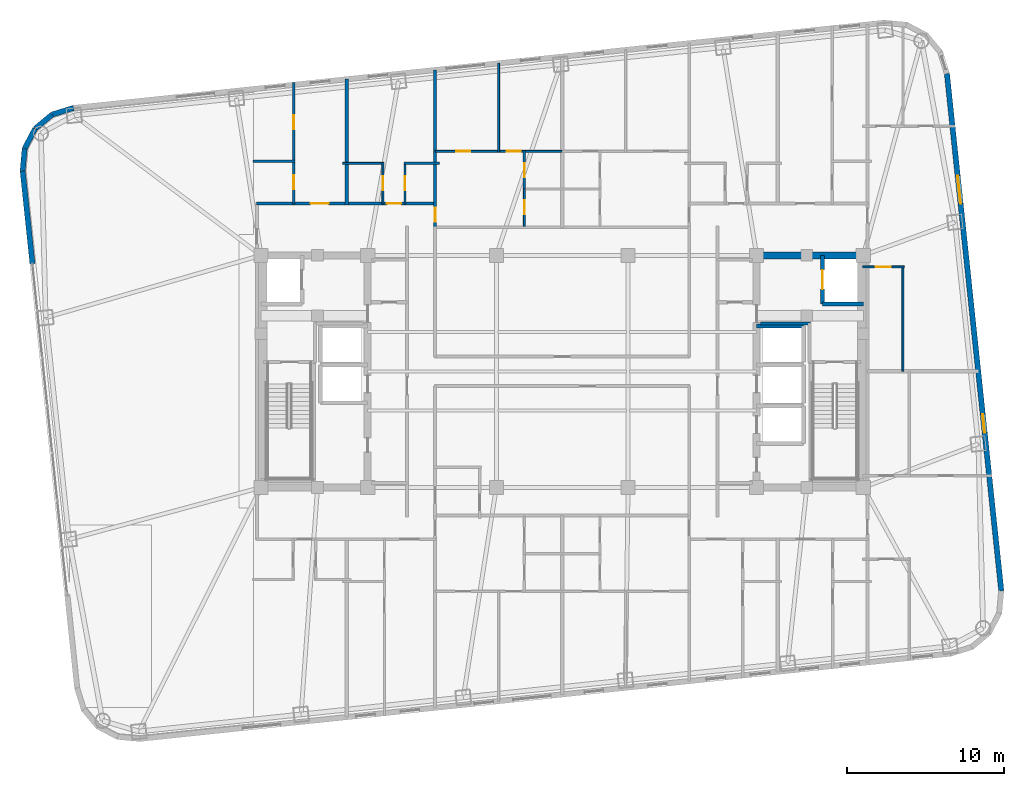
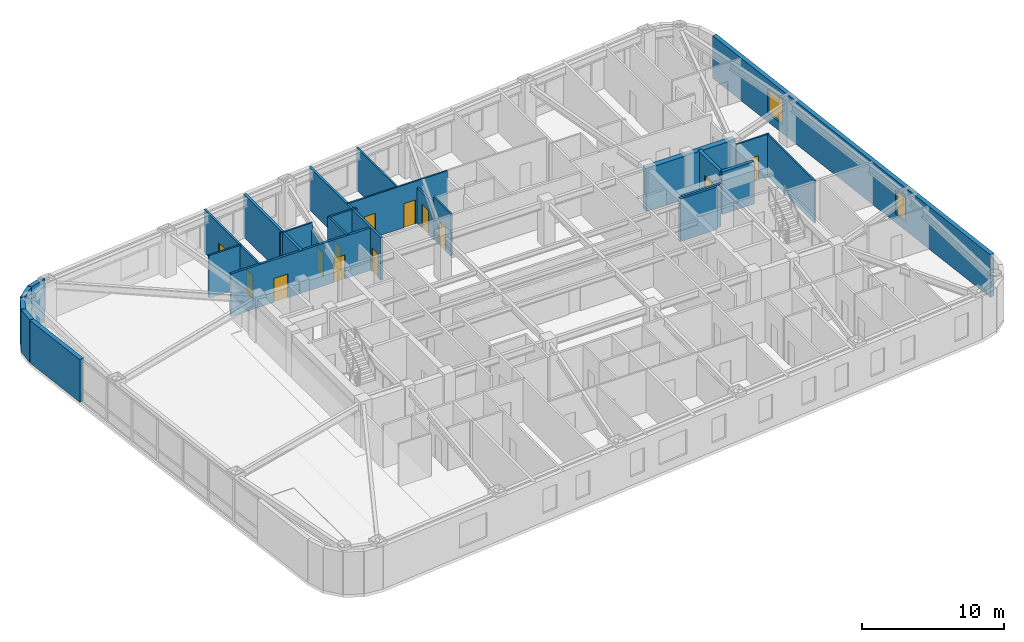
# One storey, part 10 of 15: 27 walls, 13 doors, 2 windows, 15 openings.
"""IFC4 building model written with IfcOpenShell, lengths in metres."""

from ifc_helpers import new_model, si_unit, direction, frame, frame_2d, origin, place, context, subcontext, project, spatial, rectangle, extrude, material, layer, layer_set, type_object, element, fill, save


model = new_model("IFC4")

# Units and contexts
model_context = context("Model", 3, precision=1e-05, world=origin(), true_north=direction((0.0, 1.0)))
body_context = subcontext(model_context, "Body", "Model", "MODEL_VIEW")
ifc_project = project(units=[si_unit("LENGTHUNIT", "METRE"), si_unit("AREAUNIT", "SQUARE_METRE"), si_unit("VOLUMEUNIT", "CUBIC_METRE"), si_unit("PLANEANGLEUNIT", "RADIAN"), si_unit("MASSUNIT", "GRAM", prefix="KILO")], contexts=[model_context])

# Site, building, storey
site_placement = place(None, origin())
site = spatial("IfcSite", under=ifc_project, at=site_placement, CompositionType="ELEMENT")
building_placement = place(site_placement, origin())
building = spatial("IfcBuilding", under=site, at=building_placement, Name="Voryun Gate Residences", CompositionType="ELEMENT")
storey_placement = place(building_placement, frame((0.0, 0.0, 148.199951171875)))
storey = spatial("IfcBuildingStorey", under=building, at=storey_placement, Name="L36", CompositionType="ELEMENT", Elevation=148.199951171875)

# Wall
ifc_material_1 = material(Name="Concrete C50/60", Category="concrete")
ifc_layer_1 = layer(ifc_material_1, 0.449951171875, Name="CW_CORE_450")
ifc_layer_set_1 = layer_set([ifc_layer_1], Name="Concrete C50/60")
wall_type_1 = type_object("IfcWallType", Name="CW_CORE_450", PredefinedType="SHEAR", material=ifc_layer_set_1)
wall_1_placement = place(storey_placement, frame((12.175048828125, 7.39990234375, 0.0), z_axis=(0.0, 0.0, 1.0), x_axis=(1.0, 0.0, 0.0)))
element("IfcWall", 1, at=wall_1_placement, inside=storey, type_object=wall_type_1, Name="L36 Core shear wall CW-L36-EN", PredefinedType="SHEAR", context=body_context, shape_type="SweptSolid", body=[
    extrude(rectangle(XDim=7.25, YDim=0.449951171875, at=frame_2d((3.625, 0.0))), origin(), (0.0, 0.0, 1.0), 3.650146484375),
])

# Wall, openings, doors
ifc_material_2 = material(Name="Gypsum acoustic fireboard")
ifc_layer_2 = layer(ifc_material_2, 0.179931640625, Name="W_CORR_RATED_180")
ifc_layer_set_2 = layer_set([ifc_layer_2], Name="Gypsum acoustic fireboard")
wall_type_2 = type_object("IfcWallType", Name="W_CORR_RATED_180", PredefinedType="PARTITIONING", material=ifc_layer_set_2)
wall_2_placement = place(storey_placement, frame((-19.5, 10.699951171875, 0.0), z_axis=(0.0, 0.0, 1.0), x_axis=(1.0, 0.0, 0.0)))
wall_2 = element("IfcWall", 2, at=wall_2_placement, inside=storey, type_object=wall_type_2, Name="Partition wall WP-L36-NCORR-W", PredefinedType="PARTITIONING", context=body_context, shape_type="SweptSolid", body=[
    extrude(rectangle(XDim=11.419921875, YDim=0.179931640625, at=frame_2d((5.7099609375, 0.0))), origin(), (0.0, 0.0, 1.0), 3.650146484375),
])
opening_1_placement = place(wall_2_placement, frame((3.46435546875, 0.0, 0.0)))
opening_1 = element("IfcOpeningElement", 3, at=opening_1_placement, cuts=wall_2, Name="Opening D-UNIT-1", PredefinedType="OPENING", context=body_context, shape_type="SweptSolid", body=[
    extrude(rectangle(XDim=1.14990234375, YDim=2.050048828125, at=frame_2d((0.574951171875, 1.02490234375))), frame((0.0, 0.099853515625, 0.0), z_axis=(0.0, -1.0, 0.0), x_axis=(1.0, 0.0, 0.0)), (0.0, 0.0, 1.0), 0.199951171875),
])
opening_2_placement = place(wall_2_placement, frame((8.32275390625, 0.0, 0.0)))
opening_2 = element("IfcOpeningElement", 4, at=opening_2_placement, cuts=wall_2, Name="Opening D-INT-2", PredefinedType="OPENING", context=body_context, shape_type="SweptSolid", body=[
    extrude(rectangle(XDim=0.89990234375, YDim=2.050048828125, at=frame_2d((0.449951171875, 1.02490234375))), frame((0.0, 0.099853515625, 0.0), z_axis=(0.0, -1.0, 0.0), x_axis=(1.0, 0.0, 0.0)), (0.0, 0.0, 1.0), 0.199951171875),
])
ifc_material_3 = material(Name="Architectural oak veneer")
door_type_1 = type_object("IfcDoorType", Name="DR_INT_BATH_900", OperationType="NOTDEFINED", PredefinedType="DOOR", material=ifc_material_3)
door_1_placement = place(opening_2_placement, origin())
door_1 = element("IfcDoor", 5, at=door_1_placement, inside=storey, type_object=door_type_1, Name="Door DR-L36-NENT-2", OperationType="SINGLE_SWING_RIGHT", OverallHeight=2.050048828125, OverallWidth=0.89990234375, PredefinedType="DOOR", context=body_context, shape_type="SweptSolid", body=[
    extrude(rectangle(XDim=0.89990234375, YDim=2.050048828125, at=frame_2d((0.449951171875, 1.02490234375))), frame((0.0, 0.02490234375, 0.0), z_axis=(0.0, -1.0, 0.0), x_axis=(1.0, 0.0, 0.0)), (0.0, 0.0, 1.0), 0.050048828125),
])
fill(opening_2, door_1)
ifc_material_4 = material(Name="Armoured timber-clad fire door", Category="wood")
door_type_2 = type_object("IfcDoorType", Name="DR_UNIT_ENTRY_1150", OperationType="NOTDEFINED", PredefinedType="DOOR", material=ifc_material_4)
door_2_placement = place(opening_1_placement, origin())
door_2 = element("IfcDoor", 6, at=door_2_placement, inside=storey, type_object=door_type_2, Name="Door DR-L36-NENT-1", OperationType="SINGLE_SWING_LEFT", OverallHeight=2.050048828125, OverallWidth=1.14990234375, PredefinedType="DOOR", context=body_context, shape_type="SweptSolid", body=[
    extrude(rectangle(XDim=1.14990234375, YDim=2.050048828125, at=frame_2d((0.574951171875, 1.02490234375))), frame((0.0, 0.02490234375, 0.0), z_axis=(0.0, -1.0, 0.0), x_axis=(1.0, 0.0, 0.0)), (0.0, 0.0, 1.0), 0.050048828125),
])
fill(opening_1, door_2)

# Wall, opening, door
wall_3_placement = place(storey_placement, frame((-8.10009765625, 9.18994140625, 0.0), z_axis=(0.0, 0.0, 1.0), x_axis=(0.0, 1.0, 0.0)))
wall_3 = element("IfcWall", 7, at=wall_3_placement, inside=storey, type_object=wall_type_2, Name="Partition wall WP-L36-NZV-1", PredefinedType="PARTITIONING", context=body_context, shape_type="SweptSolid", body=[
    extrude(rectangle(XDim=10.036376953125, YDim=0.179931640625, at=frame_2d((5.01806640625, 0.0))), origin(), (0.0, 0.0, 1.0), 3.650146484375),
])
opening_3_placement = place(wall_3_placement, frame((0.349853515625, 0.0, 0.0)))
opening_3 = element("IfcOpeningElement", 8, at=opening_3_placement, cuts=wall_3, Name="Opening D-INT-2", PredefinedType="OPENING", context=body_context, shape_type="SweptSolid", body=[
    extrude(rectangle(XDim=0.89990234375, YDim=2.050048828125, at=frame_2d((0.449951171875, 1.02490234375))), frame((0.0, 0.099853515625, 0.0), z_axis=(0.0, -1.0, 0.0), x_axis=(1.0, 0.0, 0.0)), (0.0, 0.0, 1.0), 0.199951171875),
])
door_3_placement = place(opening_3_placement, origin())
door_3 = element("IfcDoor", 9, at=door_3_placement, inside=storey, type_object=door_type_1, Name="Door DR-L36-NZENT-1", OperationType="SINGLE_SWING_LEFT", OverallHeight=2.050048828125, OverallWidth=0.89990234375, PredefinedType="DOOR", context=body_context, shape_type="SweptSolid", body=[
    extrude(rectangle(XDim=0.89990234375, YDim=2.050048828125, at=frame_2d((0.449951171875, 1.02490234375))), frame((0.0, 0.02490234375, 0.0), z_axis=(0.0, -1.0, 0.0), x_axis=(1.0, 0.0, 0.0)), (0.0, 0.0, 1.0), 0.050048828125),
])
fill(opening_3, door_3)

# Walls
ifc_material_5 = material(Name="Charcoal terracotta masonry", Category="masonry")
ifc_layer_3 = layer(ifc_material_5, 0.340087890625, Name="W_EXT_TERRACOTTA_340")
ifc_layer_set_3 = layer_set([ifc_layer_3], Name="Charcoal terracotta masonry")
wall_type_3 = type_object("IfcWallType", Name="W_EXT_TERRACOTTA_340", PredefinedType="ELEMENTEDWALL", material=ifc_layer_set_3)
wall_4_placement = place(storey_placement, frame((-33.777099609375, 6.85791015625, 0.0), z_axis=(0.0, 0.0, 1.0), x_axis=(-0.104527253976, 0.994522022469, 0.0)))
element("IfcWall", 10, at=wall_4_placement, inside=storey, type_object=wall_type_3, Name="Exterior wall WEXT-L36-06B", PredefinedType="ELEMENTEDWALL", context=body_context, shape_type="SweptSolid", body=[
    extrude(rectangle(XDim=5.969970703125, YDim=0.340087890625, at=frame_2d((2.98486328125, 0.0))), origin(), (0.0, 0.0, 1.0), 3.650146484375),
])
wall_5_placement = place(storey_placement, frame((-34.401123046875, 12.795166015625, 0.0), z_axis=(0.0, 0.0, 1.0), x_axis=(0.091534682358, 0.995801888894, 0.0)))
element("IfcWall", 11, at=wall_5_placement, inside=storey, type_object=wall_type_3, Name="Exterior wall WEXT-L36-07", PredefinedType="ELEMENTEDWALL", context=body_context, shape_type="SweptSolid", body=[
    extrude(rectangle(XDim=1.432373046875, YDim=0.340087890625, at=frame_2d((0.71630859375, 0.0))), origin(), (0.0, 0.0, 1.0), 3.650146484375),
])
for number, where, z_axis, x_axis, name in (
    (12, (-34.27001953125, 14.221435546875, 0.0), (0.0, 0.0, 1.0), (0.465682431293, 0.884951904447, 0.0), "Exterior wall WEXT-L36-08"),
    (13, (-33.611083984375, 15.4736328125, 0.0), (0.0, 0.0, 1.0), (0.768843196093, 0.639437361921, 0.0), "Exterior wall WEXT-L36-09"),
):
    element("IfcWall", number, at=place(storey_placement, frame(where, z_axis=z_axis, x_axis=x_axis)), inside=storey, type_object=wall_type_3, Name=name, PredefinedType="ELEMENTEDWALL", context=body_context, shape_type="SweptSolid", body=[
        extrude(rectangle(XDim=1.4150390625, YDim=0.340087890625, at=frame_2d((0.70751953125, 0.0))), origin(), (0.0, 0.0, 1.0), 3.650146484375),
    ])
wall_6_placement = place(storey_placement, frame((-32.523193359375, 16.37841796875, 0.0), z_axis=(0.0, 0.0, 1.0), x_axis=(0.9549942197, 0.296624409546, 0.0)))
element("IfcWall", 14, at=wall_6_placement, inside=storey, type_object=wall_type_3, Name="Exterior wall WEXT-L36-10", PredefinedType="ELEMENTEDWALL", context=body_context, shape_type="SweptSolid", body=[
    extrude(rectangle(XDim=1.43212890625, YDim=0.340087890625, at=frame_2d((0.716064453125, 0.0))), origin(), (0.0, 0.0, 1.0), 3.650146484375),
])

# Wall, openings, windows
wall_7_placement = place(storey_placement, frame((24.5341796875, 18.989501953125, 0.0), z_axis=(0.0, 0.0, 1.0), x_axis=(0.104534959766, -0.994521212537, 0.0)))
wall_7 = element("IfcWall", 15, at=wall_7_placement, inside=storey, type_object=wall_type_3, Name="Exterior wall WEXT-L36-16", PredefinedType="ELEMENTEDWALL", context=body_context, shape_type="SweptSolid", body=[
    extrude(rectangle(XDim=33.166259765625, YDim=0.340087890625, at=frame_2d((16.5830078125, 0.0))), origin(), (0.0, 0.0, 1.0), 3.650146484375),
])
opening_4_placement = place(wall_7_placement, frame((6.54150390625, 0.0, 0.75)))
opening_4 = element("IfcOpeningElement", 16, at=opening_4_placement, cuts=wall_7, Name="Opening WN1", PredefinedType="OPENING", context=body_context, shape_type="SweptSolid", body=[
    extrude(rectangle(XDim=1.800048828125, YDim=2.10009765625, at=frame_2d((0.89990234375, 1.050048828125))), frame((0.0, 0.179931640625, 0.0), z_axis=(0.0, -1.0, 0.0), x_axis=(1.0, 0.0, 0.0)), (0.0, 0.0, 1.0), 0.360107421875),
])
opening_5_placement = place(wall_7_placement, frame((21.840087890625, 0.0, 0.75)))
opening_5 = element("IfcOpeningElement", 17, at=opening_5_placement, cuts=wall_7, Name="Opening WN6", PredefinedType="OPENING", context=body_context, shape_type="SweptSolid", body=[
    extrude(rectangle(XDim=1.199951171875, YDim=2.050048828125, at=frame_2d((0.60009765625, 1.02490234375))), frame((0.0, 0.179931640625, 0.0), z_axis=(0.0, -1.0, 0.0), x_axis=(1.0, 0.0, 0.0)), (0.0, 0.0, 1.0), 0.360107421875),
])
ifc_material_6 = material(Name="Laminated low-E glass", Category="glass")
window_type_1 = type_object("IfcWindowType", Name="WN_POD_SLOT_1200", PartitioningType="SINGLE_PANEL", PredefinedType="WINDOW", material=ifc_material_6)
window_1_placement = place(opening_5_placement, origin())
window_1 = element("IfcWindow", 18, at=window_1_placement, inside=storey, type_object=window_type_1, Name="Window WN-L36-DWFIX-20", OverallHeight=2.050048828125, OverallWidth=1.199951171875, PartitioningType="SINGLE_PANEL", PredefinedType="WINDOW", context=body_context, shape_type="SweptSolid", body=[
    extrude(rectangle(XDim=1.199951171875, YDim=2.050048828125, at=frame_2d((0.60009765625, 1.02490234375))), frame((0.0, 0.030029296875, 0.0), z_axis=(0.0, -1.0, 0.0), x_axis=(1.0, 0.0, 0.0)), (0.0, 0.0, 1.0), 0.06005859375),
])
fill(opening_5, window_1)
ifc_material_7 = material(Name="Laminated low-E glass", Category="glass")
window_type_2 = type_object("IfcWindowType", Name="WN_RES_PUNCH_1800", PartitioningType="SINGLE_PANEL", PredefinedType="WINDOW", material=ifc_material_7)
window_2_placement = place(opening_4_placement, origin())
window_2 = element("IfcWindow", 19, at=window_2_placement, inside=storey, type_object=window_type_2, Name="Window WN-WEXT-L36-16-01", OverallHeight=2.10009765625, OverallWidth=1.800048828125, PartitioningType="SINGLE_PANEL", PredefinedType="WINDOW", context=body_context, shape_type="SweptSolid", body=[
    extrude(rectangle(XDim=1.800048828125, YDim=2.10009765625, at=frame_2d((0.89990234375, 1.050048828125))), frame((0.0, 0.030029296875, 0.0), z_axis=(0.0, -1.0, 0.0), x_axis=(1.0, 0.0, 0.0)), (0.0, 0.0, 1.0), 0.06005859375),
])
fill(opening_4, window_2)

# Walls
ifc_material_8 = material(Name="Concrete C40/50", Category="concrete")
ifc_layer_4 = layer(ifc_material_8, 0.199951171875, Name="W_FF_LOBBY_200")
ifc_layer_set_4 = layer_set([ifc_layer_4], Name="Concrete C40/50")
wall_type_4 = type_object("IfcWallType", Name="W_FF_LOBBY_200", PredefinedType="PARTITIONING", material=ifc_layer_set_4)
wall_8_placement = place(storey_placement, frame((12.659912109375, 3.06005859375, 0.0), z_axis=(0.0, 0.0, 1.0), x_axis=(1.0, 0.0, 0.0)))
element("IfcWall", 20, at=wall_8_placement, inside=storey, type_object=wall_type_4, Name="Partition wall WP-L36-FFPS-E", PredefinedType="PARTITIONING", context=body_context, shape_type="SweptSolid", body=[
    extrude(rectangle(XDim=3.16015625, YDim=0.199951171875, at=frame_2d((1.580078125, 0.0))), origin(), (0.0, 0.0, 1.0), 3.650146484375),
])
ifc_material_9 = material(Name="Concrete C40/50", Category="concrete")
ifc_layer_5 = layer(ifc_material_9, 0.219970703125, Name="W_PARTY_ACOUSTIC_220")
ifc_layer_set_5 = layer_set([ifc_layer_5], Name="Concrete C40/50")
wall_type_5 = type_object("IfcWallType", Name="W_PARTY_ACOUSTIC_220", PredefinedType="PARTITIONING", material=ifc_layer_set_5)
wall_9_placement = place(storey_placement, frame((-13.739990234375, 10.6201171875, 0.0), z_axis=(0.0, 0.0, 1.0), x_axis=(0.0, 1.0, 0.0)))
element("IfcWall", 21, at=wall_9_placement, inside=storey, type_object=wall_type_5, Name="Partition wall WP-L36-NPTY-1", PredefinedType="PARTITIONING", context=body_context, shape_type="SweptSolid", body=[
    extrude(rectangle(XDim=8.013427734375, YDim=0.219970703125, at=frame_2d((4.0068359375, 0.0))), origin(), (0.0, 0.0, 1.0), 3.650146484375),
])
ifc_material_10 = material(Name="Concrete C50/60", Category="concrete")
ifc_layer_6 = layer(ifc_material_10, 0.25, Name="W_SHAFT_RC250")
ifc_layer_set_6 = layer_set([ifc_layer_6], Name="Concrete C50/60")
wall_type_6 = type_object("IfcWallType", Name="W_SHAFT_RC250", PredefinedType="SOLIDWALL", material=ifc_layer_set_6)
wall_10_placement = place(storey_placement, frame((16.60009765625, 4.300048828125, 0.0), z_axis=(0.0, 0.0, 1.0), x_axis=(1.0, 0.0, 0.0)))
element("IfcWall", 22, at=wall_10_placement, inside=storey, type_object=wall_type_6, Name="Lift shaft wall WSH-L36-EL-FF-E1-S", PredefinedType="SOLIDWALL", context=body_context, shape_type="SweptSolid", body=[
    extrude(rectangle(XDim=2.599853515625, YDim=0.25, at=frame_2d((1.2998046875, 0.0))), origin(), (0.0, 0.0, 1.0), 3.650146484375),
])

# Wall, opening, door
wall_11_placement = place(storey_placement, frame((16.60009765625, 7.39990234375, 0.0), z_axis=(0.0, 0.0, 1.0), x_axis=(0.0, -1.0, 0.0)))
wall_11 = element("IfcWall", 23, at=wall_11_placement, inside=storey, type_object=wall_type_6, Name="Lift shaft wall WSH-L36-EL-FF-E1-W", PredefinedType="SOLIDWALL", context=body_context, shape_type="SweptSolid", body=[
    extrude(rectangle(XDim=3.099853515625, YDim=0.25, at=frame_2d((1.5498046875, 0.0))), origin(), (0.0, 0.0, 1.0), 3.650146484375),
])
opening_6_placement = place(wall_11_placement, frame((0.949951171875, 0.0, 0.0)))
opening_6 = element("IfcOpeningElement", 24, at=opening_6_placement, cuts=wall_11, Name="Opening LD1", PredefinedType="OPENING", context=body_context, shape_type="SweptSolid", body=[
    extrude(rectangle(XDim=1.199951171875, YDim=2.050048828125, at=frame_2d((0.60009765625, 1.02490234375))), frame((0.0, 0.135009765625, 0.0), z_axis=(0.0, -1.0, 0.0), x_axis=(1.0, 0.0, 0.0)), (0.0, 0.0, 1.0), 0.27001953125),
])
ifc_material_11 = material(Name="Anodised aluminium", Category="aluminium")
door_type_3 = type_object("IfcDoorType", Name="DR_LD_FF_1200", OperationType="NOTDEFINED", PredefinedType="DOOR", material=ifc_material_11)
door_4_placement = place(opening_6_placement, origin())
door_4 = element("IfcDoor", 25, at=door_4_placement, inside=storey, type_object=door_type_3, Name="Lift EL-FF-E1 sliding landing door L36", OperationType="SLIDING_TO_LEFT", OverallHeight=2.050048828125, OverallWidth=1.199951171875, PredefinedType="DOOR", context=body_context, shape_type="SweptSolid", body=[
    extrude(rectangle(XDim=1.199951171875, YDim=2.050048828125, at=frame_2d((0.60009765625, 1.02490234375))), frame((0.0, 0.02490234375, 0.0), z_axis=(0.0, -1.0, 0.0), x_axis=(1.0, 0.0, 0.0)), (0.0, 0.0, 1.0), 0.050048828125),
])
fill(opening_6, door_4)

# Wall
wall_12_placement = place(storey_placement, frame((15.39990234375, 2.89990234375, 0.0), z_axis=(0.0, 0.0, 1.0), x_axis=(-1.0, 0.0, 0.0)))
element("IfcWall", 26, at=wall_12_placement, inside=storey, type_object=wall_type_6, Name="Lift shaft wall WSH-L36-EL-P8-N", PredefinedType="SOLIDWALL", context=body_context, shape_type="SweptSolid", body=[
    extrude(rectangle(XDim=3.0, YDim=0.25, at=frame_2d((1.5, 0.0))), origin(), (0.0, 0.0, 1.0), 3.650146484375),
])

# Wall, opening, door
ifc_material_12 = material(Name="Gypsum acoustic partition")
ifc_layer_7 = layer(ifc_material_12, 0.125, Name="W_UNIT_PART_125")
ifc_layer_set_7 = layer_set([ifc_layer_7], Name="Gypsum acoustic partition")
wall_type_7 = type_object("IfcWallType", Name="W_UNIT_PART_125", PredefinedType="PARTITIONING", material=ifc_layer_set_7)
wall_13_placement = place(storey_placement, frame((-11.429931640625, 10.679931640625, 0.0), z_axis=(0.0, 0.0, 1.0), x_axis=(0.0, 1.0, 0.0)))
wall_13 = element("IfcWall", 27, at=wall_13_placement, inside=storey, type_object=wall_type_7, Name="Partition wall WP-L36-N2-CVK", PredefinedType="PARTITIONING", context=body_context, shape_type="SweptSolid", body=[
    extrude(rectangle(XDim=2.650146484375, YDim=0.125, at=frame_2d((1.3251953125, 0.0))), origin(), (0.0, 0.0, 1.0), 3.0400390625),
])
opening_7_placement = place(wall_13_placement, frame((0.875, 0.0, 0.0)))
opening_7 = element("IfcOpeningElement", 28, at=opening_7_placement, cuts=wall_13, Name="Opening D-INT-2", PredefinedType="OPENING", context=body_context, shape_type="SweptSolid", body=[
    extrude(rectangle(XDim=0.89990234375, YDim=2.050048828125, at=frame_2d((0.449951171875, 1.02490234375))), frame((0.0, 0.072509765625, 0.0), z_axis=(0.0, -1.0, 0.0), x_axis=(1.0, 0.0, 0.0)), (0.0, 0.0, 1.0), 0.14501953125),
])
door_5_placement = place(opening_7_placement, origin())
door_5 = element("IfcDoor", 29, at=door_5_placement, inside=storey, type_object=door_type_1, Name="Door DR-L36-N2-DK", OperationType="SINGLE_SWING_LEFT", OverallHeight=2.050048828125, OverallWidth=0.89990234375, PredefinedType="DOOR", context=body_context, shape_type="SweptSolid", body=[
    extrude(rectangle(XDim=0.89990234375, YDim=2.050048828125, at=frame_2d((0.449951171875, 1.02490234375))), frame((0.0, 0.02490234375, 0.0), z_axis=(0.0, -1.0, 0.0), x_axis=(1.0, 0.0, 0.0)), (0.0, 0.0, 1.0), 0.050048828125),
])
fill(opening_7, door_5)

# Wall
wall_14_placement = place(storey_placement, frame((-14.0, 13.27001953125, 0.0), z_axis=(0.0, 0.0, 1.0), x_axis=(1.0, 0.0, 0.0)))
element("IfcWall", 30, at=wall_14_placement, inside=storey, type_object=wall_type_7, Name="Partition wall WP-L36-N2-CHK", PredefinedType="PARTITIONING", context=body_context, shape_type="SweptSolid", body=[
    extrude(rectangle(XDim=2.6298828125, YDim=0.125, at=frame_2d((1.31494140625, 0.0))), origin(), (0.0, 0.0, 1.0), 3.650146484375),
])

# Wall, openings, doors
wall_15_placement = place(storey_placement, frame((-8.080078125, 14.030029296875, 0.0), z_axis=(0.0, 0.0, 1.0), x_axis=(1.0, 0.0, 0.0)))
wall_15 = element("IfcWall", 31, at=wall_15_placement, inside=storey, type_object=wall_type_7, Name="Partition wall WP-L36-NC1-HZ", PredefinedType="PARTITIONING", context=body_context, shape_type="SweptSolid", body=[
    extrude(rectangle(XDim=8.06005859375, YDim=0.125, at=frame_2d((4.030029296875, 0.0))), origin(), (0.0, 0.0, 1.0), 3.650146484375),
])
opening_8_placement = place(wall_15_placement, frame((1.3232421875, 0.0, 0.0)))
opening_8 = element("IfcOpeningElement", 32, at=opening_8_placement, cuts=wall_15, Name="Opening D-INT-2", PredefinedType="OPENING", context=body_context, shape_type="SweptSolid", body=[
    extrude(rectangle(XDim=0.89990234375, YDim=2.050048828125, at=frame_2d((0.449951171875, 1.02490234375))), frame((0.0, 0.072509765625, 0.0), z_axis=(0.0, -1.0, 0.0), x_axis=(1.0, 0.0, 0.0)), (0.0, 0.0, 1.0), 0.14501953125),
])
opening_9_placement = place(wall_15_placement, frame((4.547119140625, 0.0, 0.0)))
opening_9 = element("IfcOpeningElement", 33, at=opening_9_placement, cuts=wall_15, Name="Opening D-INT-2", PredefinedType="OPENING", context=body_context, shape_type="SweptSolid", body=[
    extrude(rectangle(XDim=0.89990234375, YDim=2.050048828125, at=frame_2d((0.449951171875, 1.02490234375))), frame((0.0, 0.072509765625, 0.0), z_axis=(0.0, -1.0, 0.0), x_axis=(1.0, 0.0, 0.0)), (0.0, 0.0, 1.0), 0.14501953125),
])
door_6_placement = place(opening_8_placement, origin())
door_6 = element("IfcDoor", 34, at=door_6_placement, inside=storey, type_object=door_type_1, Name="Door DR-L36-NC1-DMB", OperationType="SINGLE_SWING_LEFT", OverallHeight=2.050048828125, OverallWidth=0.89990234375, PredefinedType="DOOR", context=body_context, shape_type="SweptSolid", body=[
    extrude(rectangle(XDim=0.89990234375, YDim=2.050048828125, at=frame_2d((0.449951171875, 1.02490234375))), frame((0.0, 0.02490234375, 0.0), z_axis=(0.0, -1.0, 0.0), x_axis=(1.0, 0.0, 0.0)), (0.0, 0.0, 1.0), 0.050048828125),
])
fill(opening_8, door_6)
door_7_placement = place(opening_9_placement, origin())
door_7 = element("IfcDoor", 35, at=door_7_placement, inside=storey, type_object=door_type_1, Name="Door DR-L36-NC1-DBD2", OperationType="SINGLE_SWING_RIGHT", OverallHeight=2.050048828125, OverallWidth=0.89990234375, PredefinedType="DOOR", context=body_context, shape_type="SweptSolid", body=[
    extrude(rectangle(XDim=0.89990234375, YDim=2.050048828125, at=frame_2d((0.449951171875, 1.02490234375))), frame((0.0, 0.02490234375, 0.0), z_axis=(0.0, -1.0, 0.0), x_axis=(1.0, 0.0, 0.0)), (0.0, 0.0, 1.0), 0.050048828125),
])
fill(opening_9, door_7)

# Wall, opening, door
wall_16_placement = place(storey_placement, frame((-2.409912109375, 9.25, 0.0), z_axis=(0.0, 0.0, 1.0), x_axis=(0.0, 1.0, 0.0)))
wall_16 = element("IfcWall", 36, at=wall_16_placement, inside=storey, type_object=wall_type_7, Name="Partition wall WP-L36-NC1-VK1", PredefinedType="PARTITIONING", context=body_context, shape_type="SweptSolid", body=[
    extrude(rectangle(XDim=2.409912109375, YDim=0.125, at=frame_2d((1.205078125, 0.0))), origin(), (0.0, 0.0, 1.0), 3.650146484375),
])
opening_10_placement = place(wall_16_placement, frame((0.7548828125, 0.0, 0.0)))
opening_10 = element("IfcOpeningElement", 37, at=opening_10_placement, cuts=wall_16, Name="Opening D-INT-2", PredefinedType="OPENING", context=body_context, shape_type="SweptSolid", body=[
    extrude(rectangle(XDim=0.89990234375, YDim=2.050048828125, at=frame_2d((0.449951171875, 1.02490234375))), frame((0.0, 0.072509765625, 0.0), z_axis=(0.0, -1.0, 0.0), x_axis=(1.0, 0.0, 0.0)), (0.0, 0.0, 1.0), 0.14501953125),
])
door_8_placement = place(opening_10_placement, origin())
door_8 = element("IfcDoor", 38, at=door_8_placement, inside=storey, type_object=door_type_1, Name="Door DR-L36-NC1-DK", OperationType="SINGLE_SWING_LEFT", OverallHeight=2.050048828125, OverallWidth=0.89990234375, PredefinedType="DOOR", context=body_context, shape_type="SweptSolid", body=[
    extrude(rectangle(XDim=0.89990234375, YDim=2.050048828125, at=frame_2d((0.449951171875, 1.02490234375))), frame((0.0, 0.02490234375, 0.0), z_axis=(0.0, -1.0, 0.0), x_axis=(1.0, 0.0, 0.0)), (0.0, 0.0, 1.0), 0.050048828125),
])
fill(opening_10, door_8)

# Wall
wall_17_placement = place(storey_placement, frame((-4.050048828125, 13.989990234375, 0.0), z_axis=(0.0, 0.0, 1.0), x_axis=(0.0, 1.0, 0.0)))
element("IfcWall", 39, at=wall_17_placement, inside=storey, type_object=wall_type_7, Name="Partition wall WP-L36-NC1-VBD", PredefinedType="PARTITIONING", context=body_context, shape_type="SweptSolid", body=[
    extrude(rectangle(XDim=5.662109375, YDim=0.125, at=frame_2d((2.8310546875, 0.0))), origin(), (0.0, 0.0, 1.0), 3.650146484375),
])

# Wall, opening, door
wall_18_placement = place(storey_placement, frame((19.14990234375, 6.659912109375, 0.0), z_axis=(0.0, 0.0, 1.0), x_axis=(1.0, 0.0, 0.0)))
wall_18 = element("IfcWall", 40, at=wall_18_placement, inside=storey, type_object=wall_type_7, Name="Partition wall WP-L36-E2-IKA", PredefinedType="PARTITIONING", context=body_context, shape_type="SweptSolid", body=[
    extrude(rectangle(XDim=2.6591796875, YDim=0.125, at=frame_2d((1.32958984375, 0.0))), origin(), (0.0, 0.0, 1.0), 3.650146484375),
])
opening_11_placement = place(wall_18_placement, frame((0.8544921875, 0.0, 0.0)))
opening_11 = element("IfcOpeningElement", 41, at=opening_11_placement, cuts=wall_18, Name="Opening D-INT-1", PredefinedType="OPENING", context=body_context, shape_type="SweptSolid", body=[
    extrude(rectangle(XDim=0.949951171875, YDim=2.050048828125, at=frame_2d((0.47509765625, 1.02490234375))), frame((0.0, 0.072509765625, 0.0), z_axis=(0.0, -1.0, 0.0), x_axis=(1.0, 0.0, 0.0)), (0.0, 0.0, 1.0), 0.14501953125),
])
ifc_material_13 = material(Name="Architectural oak veneer")
door_type_4 = type_object("IfcDoorType", Name="DR_INT_ROOM_950", OperationType="NOTDEFINED", PredefinedType="DOOR", material=ifc_material_13)
door_9_placement = place(opening_11_placement, origin())
door_9 = element("IfcDoor", 42, at=door_9_placement, inside=storey, type_object=door_type_4, Name="Door DR-L36-E2-DK", OperationType="SINGLE_SWING_LEFT", OverallHeight=2.050048828125, OverallWidth=0.949951171875, PredefinedType="DOOR", context=body_context, shape_type="SweptSolid", body=[
    extrude(rectangle(XDim=0.949951171875, YDim=2.050048828125, at=frame_2d((0.47509765625, 1.02490234375))), frame((0.0, 0.02490234375, 0.0), z_axis=(0.0, -1.0, 0.0), x_axis=(1.0, 0.0, 0.0)), (0.0, 0.0, 1.0), 0.050048828125),
])
fill(opening_11, door_9)

# Walls
wall_19_placement = place(storey_placement, frame((21.72900390625, 0.02001953125, 0.0), z_axis=(0.0, 0.0, 1.0), x_axis=(0.0, 1.0, 0.0)))
element("IfcWall", 43, at=wall_19_placement, inside=storey, type_object=wall_type_7, Name="Partition wall WP-L36-E2-VTA", PredefinedType="PARTITIONING", context=body_context, shape_type="SweptSolid", body=[
    extrude(rectangle(XDim=6.719970703125, YDim=0.125, at=frame_2d((3.35986328125, 0.0))), origin(), (0.0, 0.0, 1.0), 3.650146484375),
])
ifc_material_14 = material(Name="Gypsum moisture-resistant partition")
ifc_layer_8 = layer(ifc_material_14, 0.14990234375, Name="W_WET_PLUMB_150")
ifc_layer_set_8 = layer_set([ifc_layer_8], Name="Gypsum moisture-resistant partition")
wall_type_8 = type_object("IfcWallType", Name="W_WET_PLUMB_150", PredefinedType="PLUMBINGWALL", material=ifc_layer_set_8)
wall_20_placement = place(storey_placement, frame((-19.719970703125, 13.39990234375, 0.0), z_axis=(0.0, 0.0, 1.0), x_axis=(1.0, 0.0, 0.0)))
element("IfcWall", 44, at=wall_20_placement, inside=storey, type_object=wall_type_8, Name="Partition wall WP-L36-N1-SKB", PredefinedType="PLUMBINGWALL", context=body_context, shape_type="SweptSolid", body=[
    extrude(rectangle(XDim=2.678955078125, YDim=0.14990234375, at=frame_2d((1.33935546875, 0.0))), origin(), (0.0, 0.0, 1.0), 3.650146484375),
])

# Wall, opening, door
wall_21_placement = place(storey_placement, frame((-17.12109375, 10.679931640625, 0.0), z_axis=(0.0, 0.0, 1.0), x_axis=(0.0, 1.0, 0.0)))
wall_21 = element("IfcWall", 45, at=wall_21_placement, inside=storey, type_object=wall_type_8, Name="Partition wall WP-L36-N1-SVT1", PredefinedType="PLUMBINGWALL", context=body_context, shape_type="SweptSolid", body=[
    extrude(rectangle(XDim=2.760009765625, YDim=0.14990234375, at=frame_2d((1.3798828125, 0.0))), origin(), (0.0, 0.0, 1.0), 3.650146484375),
])
opening_12_placement = place(wall_21_placement, frame((0.929931640625, 0.0, 0.0)))
opening_12 = element("IfcOpeningElement", 46, at=opening_12_placement, cuts=wall_21, Name="Opening D-INT-2", PredefinedType="OPENING", context=body_context, shape_type="SweptSolid", body=[
    extrude(rectangle(XDim=0.89990234375, YDim=2.050048828125, at=frame_2d((0.449951171875, 1.02490234375))), frame((0.0, 0.0849609375, 0.0), z_axis=(0.0, -1.0, 0.0), x_axis=(1.0, 0.0, 0.0)), (0.0, 0.0, 1.0), 0.169921875),
])
door_10_placement = place(opening_12_placement, origin())
door_10 = element("IfcDoor", 47, at=door_10_placement, inside=storey, type_object=door_type_1, Name="Door DR-L36-N1-DB", OperationType="SINGLE_SWING_LEFT", OverallHeight=2.050048828125, OverallWidth=0.89990234375, PredefinedType="DOOR", context=body_context, shape_type="SweptSolid", body=[
    extrude(rectangle(XDim=0.89990234375, YDim=2.050048828125, at=frame_2d((0.449951171875, 1.02490234375))), frame((0.0, 0.02490234375, 0.0), z_axis=(0.0, -1.0, 0.0), x_axis=(1.0, 0.0, 0.0)), (0.0, 0.0, 1.0), 0.050048828125),
])
fill(opening_12, door_10)

wall_22_placement = place(storey_placement, frame((-17.12109375, 13.360107421875, 0.0), z_axis=(0.0, 0.0, 1.0), x_axis=(0.0, 1.0, 0.0)))
wall_22 = element("IfcWall", 48, at=wall_22_placement, inside=storey, type_object=wall_type_8, Name="Partition wall WP-L36-N1-SVT2", PredefinedType="PLUMBINGWALL", context=body_context, shape_type="SweptSolid", body=[
    extrude(rectangle(XDim=5.069091796875, YDim=0.14990234375, at=frame_2d((2.53466796875, 0.0))), origin(), (0.0, 0.0, 1.0), 3.650146484375),
])
opening_13_placement = place(wall_22_placement, frame((2.08447265625, 0.0, 0.0)))
opening_13 = element("IfcOpeningElement", 49, at=opening_13_placement, cuts=wall_22, Name="Opening D-INT-2", PredefinedType="OPENING", context=body_context, shape_type="SweptSolid", body=[
    extrude(rectangle(XDim=0.89990234375, YDim=2.050048828125, at=frame_2d((0.449951171875, 1.02490234375))), frame((0.0, 0.0849609375, 0.0), z_axis=(0.0, -1.0, 0.0), x_axis=(1.0, 0.0, 0.0)), (0.0, 0.0, 1.0), 0.169921875),
])
door_11_placement = place(opening_13_placement, origin())
door_11 = element("IfcDoor", 50, at=door_11_placement, inside=storey, type_object=door_type_1, Name="Door DR-L36-N1-DK", OperationType="SINGLE_SWING_RIGHT", OverallHeight=2.050048828125, OverallWidth=0.89990234375, PredefinedType="DOOR", context=body_context, shape_type="SweptSolid", body=[
    extrude(rectangle(XDim=0.89990234375, YDim=2.050048828125, at=frame_2d((0.449951171875, 1.02490234375))), frame((0.0, 0.02490234375, 0.0), z_axis=(0.0, -1.0, 0.0), x_axis=(1.0, 0.0, 0.0)), (0.0, 0.0, 1.0), 0.050048828125),
])
fill(opening_13, door_11)

wall_23_placement = place(storey_placement, frame((-10.02392578125, 10.679931640625, 0.0), z_axis=(0.0, 0.0, 1.0), x_axis=(0.0, 1.0, 0.0)))
wall_23 = element("IfcWall", 51, at=wall_23_placement, inside=storey, type_object=wall_type_8, Name="Partition wall WP-L36-N2-CVB", PredefinedType="PLUMBINGWALL", context=body_context, shape_type="SweptSolid", body=[
    extrude(rectangle(XDim=2.650146484375, YDim=0.14990234375, at=frame_2d((1.3251953125, 0.0))), origin(), (0.0, 0.0, 1.0), 3.650146484375),
])
opening_14_placement = place(wall_23_placement, frame((0.875, 0.0, 0.0)))
opening_14 = element("IfcOpeningElement", 52, at=opening_14_placement, cuts=wall_23, Name="Opening D-INT-2", PredefinedType="OPENING", context=body_context, shape_type="SweptSolid", body=[
    extrude(rectangle(XDim=0.89990234375, YDim=2.050048828125, at=frame_2d((0.449951171875, 1.02490234375))), frame((0.0, 0.0849609375, 0.0), z_axis=(0.0, -1.0, 0.0), x_axis=(1.0, 0.0, 0.0)), (0.0, 0.0, 1.0), 0.169921875),
])
door_12_placement = place(opening_14_placement, origin())
door_12 = element("IfcDoor", 53, at=door_12_placement, inside=storey, type_object=door_type_1, Name="Door DR-L36-N2-DB", OperationType="SINGLE_SWING_RIGHT", OverallHeight=2.050048828125, OverallWidth=0.89990234375, PredefinedType="DOOR", context=body_context, shape_type="SweptSolid", body=[
    extrude(rectangle(XDim=0.89990234375, YDim=2.050048828125, at=frame_2d((0.449951171875, 1.02490234375))), frame((0.0, 0.02490234375, 0.0), z_axis=(0.0, -1.0, 0.0), x_axis=(1.0, 0.0, 0.0)), (0.0, 0.0, 1.0), 0.050048828125),
])
fill(opening_14, door_12)

# Wall
wall_24_placement = place(storey_placement, frame((-10.083984375, 13.27001953125, 0.0), z_axis=(0.0, 0.0, 1.0), x_axis=(1.0, 0.0, 0.0)))
element("IfcWall", 54, at=wall_24_placement, inside=storey, type_object=wall_type_8, Name="Partition wall WP-L36-N2-CHB", PredefinedType="PLUMBINGWALL", context=body_context, shape_type="SweptSolid", body=[
    extrude(rectangle(XDim=2.263916015625, YDim=0.14990234375, at=frame_2d((1.1318359375, 0.0))), origin(), (0.0, 0.0, 1.0), 3.650146484375),
])

# Wall, opening, door
wall_25_placement = place(storey_placement, frame((-2.409912109375, 11.60009765625, 0.0), z_axis=(0.0, 0.0, 1.0), x_axis=(0.0, 1.0, 0.0)))
wall_25 = element("IfcWall", 55, at=wall_25_placement, inside=storey, type_object=wall_type_8, Name="Partition wall WP-L36-NC1-VK2", PredefinedType="PLUMBINGWALL", context=body_context, shape_type="SweptSolid", body=[
    extrude(rectangle(XDim=2.469970703125, YDim=0.14990234375, at=frame_2d((1.23486328125, 0.0))), origin(), (0.0, 0.0, 1.0), 3.0400390625),
])
opening_15_placement = place(wall_25_placement, frame((0.784912109375, 0.0, 0.0)))
opening_15 = element("IfcOpeningElement", 56, at=opening_15_placement, cuts=wall_25, Name="Opening D-INT-2", PredefinedType="OPENING", context=body_context, shape_type="SweptSolid", body=[
    extrude(rectangle(XDim=0.89990234375, YDim=2.050048828125, at=frame_2d((0.449951171875, 1.02490234375))), frame((0.0, 0.0849609375, 0.0), z_axis=(0.0, -1.0, 0.0), x_axis=(1.0, 0.0, 0.0)), (0.0, 0.0, 1.0), 0.169921875),
])
door_13_placement = place(opening_15_placement, origin())
door_13 = element("IfcDoor", 57, at=door_13_placement, inside=storey, type_object=door_type_1, Name="Door DR-L36-NC1-DB", OperationType="SINGLE_SWING_RIGHT", OverallHeight=2.050048828125, OverallWidth=0.89990234375, PredefinedType="DOOR", context=body_context, shape_type="SweptSolid", body=[
    extrude(rectangle(XDim=0.89990234375, YDim=2.050048828125, at=frame_2d((0.449951171875, 1.02490234375))), frame((0.0, 0.02490234375, 0.0), z_axis=(0.0, -1.0, 0.0), x_axis=(1.0, 0.0, 0.0)), (0.0, 0.0, 1.0), 0.050048828125),
])
fill(opening_15, door_13)

save(model, "model.ifc")
